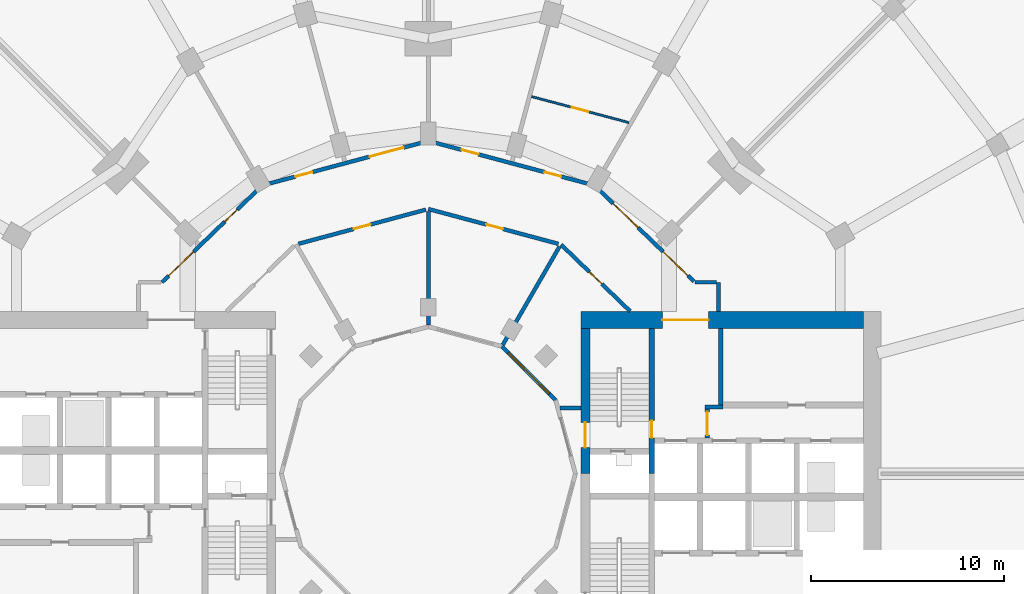
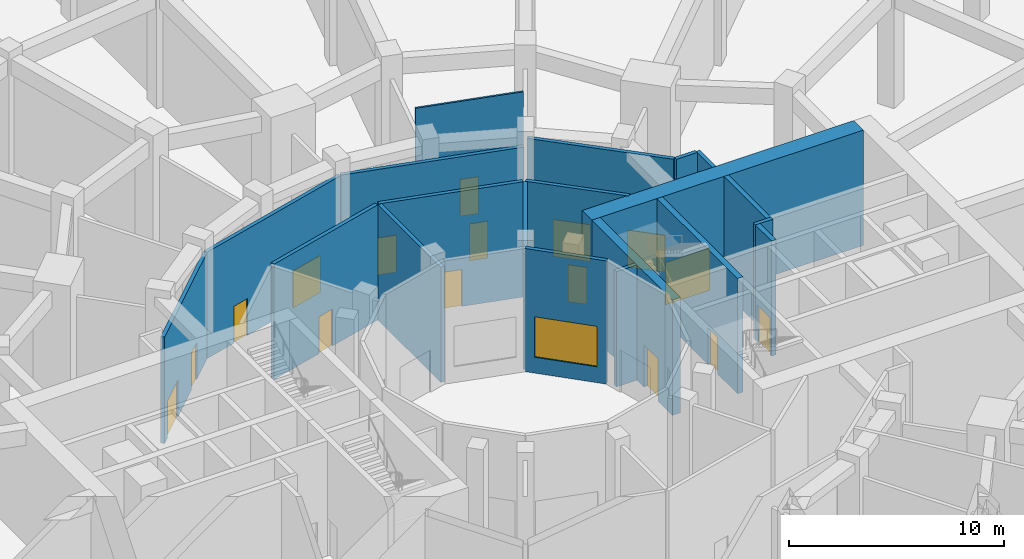
# One storey, part 27 of 31: 20 walls, 16 doors, 1 window, 17 openings.
"""IFC4 building model written with IfcOpenShell, lengths in metres."""

from ifc_helpers import new_model, si_unit, direction, frame, frame_2d, origin, place, context, subcontext, project, spatial, rectangle, extrude, material, layer, layer_set, type_object, element, fill, save


model = new_model("IFC4")

# Units and contexts
model_context = context("Model", 3, precision=1e-05, world=origin(), true_north=direction((0.0, 1.0)))
body_context = subcontext(model_context, "Body", "Model", "MODEL_VIEW")
ifc_project = project(units=[si_unit("LENGTHUNIT", "METRE"), si_unit("AREAUNIT", "SQUARE_METRE"), si_unit("VOLUMEUNIT", "CUBIC_METRE"), si_unit("PLANEANGLEUNIT", "RADIAN"), si_unit("MASSUNIT", "GRAM", prefix="KILO")], contexts=[model_context])

# Site, building, storey
site_placement = place(None, origin())
site = spatial("IfcSite", under=ifc_project, at=site_placement, CompositionType="ELEMENT")
building_placement = place(site_placement, origin())
building = spatial("IfcBuilding", under=site, at=building_placement, Name="Torre Brocal", CompositionType="ELEMENT")
storey_placement = place(building_placement, origin())
storey = spatial("IfcBuildingStorey", under=building, at=storey_placement, Name="L00", CompositionType="ELEMENT", Elevation=0.0)

# Walls
ifc_material_1 = material(Name="Concrete C80", Category="concrete")
ifc_layer_1 = layer(ifc_material_1, 0.199951171875)
ifc_layer_set_1 = layer_set([ifc_layer_1], Name="Concrete C80")
wall_type_1 = type_object("IfcWallType", Name="CORE WALL 200 C80 UNDER 450 SLAB", PredefinedType="SHEAR", material=ifc_layer_set_1)
wall_1_placement = place(storey_placement, frame((94.300048828125, 78.449951171875, 0.0), z_axis=(0.0, 0.0, 1.0), x_axis=(1.0, 0.0, 0.0)))
element("IfcWall", 1, at=wall_1_placement, inside=storey, type_object=wall_type_1, Name="Wall CW200-80-S450", PredefinedType="SHEAR", context=body_context, shape_type="SweptSolid", body=[
    extrude(rectangle(XDim=0.949951171875, YDim=0.199951171875, at=frame_2d((0.47509765625, 0.0))), origin(), (0.0, 0.0, 1.0), 6.550048828125),
])
ifc_material_2 = material(Name="Concrete C80", Category="concrete")
ifc_layer_2 = layer(ifc_material_2, 0.25)
ifc_layer_set_2 = layer_set([ifc_layer_2], Name="Concrete C80")
wall_type_2 = type_object("IfcWallType", Name="CORE WALL 250 C80 UNDER 450 SLAB", PredefinedType="SHEAR", material=ifc_layer_set_2)
wall_2_placement = place(storey_placement, frame((95.125, 78.550048828125, 0.0), z_axis=(0.0, 0.0, 1.0), x_axis=(0.0, 1.0, 0.0)))
element("IfcWall", 2, at=wall_2_placement, inside=storey, type_object=wall_type_2, Name="Wall CW250-80-S450", PredefinedType="SHEAR", context=body_context, shape_type="SweptSolid", body=[
    extrude(rectangle(XDim=3.949951171875, YDim=0.25, at=frame_2d((1.97509765625, 0.0))), origin(), (0.0, 0.0, 1.0), 6.550048828125),
])

# Wall, opening, door
wall_3_placement = place(storey_placement, frame((94.425048828125, 76.85009765625, 0.0), z_axis=(0.0, 0.0, 1.0), x_axis=(0.0, 1.0, 0.0)))
wall_3 = element("IfcWall", 3, at=wall_3_placement, inside=storey, type_object=wall_type_2, Name="Wall CW250-80-S450", PredefinedType="SHEAR", context=body_context, shape_type="SweptSolid", body=[
    extrude(rectangle(XDim=1.5, YDim=0.25, at=frame_2d((0.75, 0.0))), origin(), (0.0, 0.0, 1.0), 6.550048828125),
])
opening_1_placement = place(wall_3_placement, frame((0.14990234375, 0.0, 0.0)))
opening_1 = element("IfcOpeningElement", 4, at=opening_1_placement, cuts=wall_3, Name="Opening E-D21", PredefinedType="OPENING", context=body_context, shape_type="SweptSolid", body=[
    extrude(rectangle(XDim=1.199951171875, YDim=2.10009765625, at=frame_2d((0.60009765625, 1.050048828125))), frame((0.0, 0.135009765625, 0.0), z_axis=(0.0, -1.0, 0.0), x_axis=(1.0, 0.0, 0.0)), (0.0, 0.0, 1.0), 0.27001953125),
])
ifc_material_3 = material(Name="Steel A653", Category="steel")
door_type_1 = type_object("IfcDoorType", Name="LOBBY DOOR FD120 1200X2100", OperationType="SINGLE_SWING_RIGHT", PredefinedType="DOOR", material=ifc_material_3)
door_1_placement = place(opening_1_placement, origin())
door_1 = element("IfcDoor", 5, at=door_1_placement, inside=storey, type_object=door_type_1, Name="Door E-D21", OperationType="SINGLE_SWING_LEFT", OverallHeight=2.10009765625, OverallWidth=1.199951171875, PredefinedType="DOOR", context=body_context, shape_type="SweptSolid", body=[
    extrude(rectangle(XDim=1.199951171875, YDim=2.10009765625, at=frame_2d((0.60009765625, 1.050048828125))), frame((0.0, 0.02490234375, 0.0), z_axis=(0.0, -1.0, 0.0), x_axis=(1.0, 0.0, 0.0)), (0.0, 0.0, 1.0), 0.050048828125),
])
fill(opening_1, door_1)

ifc_material_4 = material(Name="Concrete C80", Category="concrete")
ifc_layer_3 = layer(ifc_material_4, 0.300048828125)
ifc_layer_set_3 = layer_set([ifc_layer_3], Name="Concrete C80")
wall_type_3 = type_object("IfcWallType", Name="CORE WALL 300 C80 UNDER 450 SLAB", PredefinedType="SHEAR", material=ifc_layer_set_3)
wall_4_placement = place(storey_placement, frame((91.550048828125, 75.0, 0.0), z_axis=(0.0, 0.0, 1.0), x_axis=(0.0, 1.0, 0.0)))
wall_4 = element("IfcWall", 6, at=wall_4_placement, inside=storey, type_object=wall_type_3, Name="Wall CW300-80-S450", PredefinedType="SHEAR", context=body_context, shape_type="SweptSolid", body=[
    extrude(rectangle(XDim=7.5, YDim=0.300048828125, at=frame_2d((3.75, 0.0))), origin(), (0.0, 0.0, 1.0), 6.550048828125),
])
opening_2_placement = place(wall_4_placement, frame((1.85009765625, 0.0, 0.0)))
opening_2 = element("IfcOpeningElement", 7, at=opening_2_placement, cuts=wall_4, Name="Opening E-D02", PredefinedType="OPENING", context=body_context, shape_type="SweptSolid", body=[
    extrude(rectangle(XDim=0.89990234375, YDim=2.10009765625, at=frame_2d((0.449951171875, 1.050048828125))), frame((0.0, 0.159912109375, 0.0), z_axis=(0.0, -1.0, 0.0), x_axis=(1.0, 0.0, 0.0)), (0.0, 0.0, 1.0), 0.320068359375),
])
ifc_material_5 = material(Name="Steel A653", Category="steel")
door_type_2 = type_object("IfcDoorType", Name="STAIR DOOR FD120 900X2100", OperationType="SINGLE_SWING_RIGHT", PredefinedType="DOOR", material=ifc_material_5)
door_2_placement = place(opening_2_placement, origin())
door_2 = element("IfcDoor", 8, at=door_2_placement, inside=storey, type_object=door_type_2, Name="Door E-D02", OperationType="SINGLE_SWING_LEFT", OverallHeight=2.10009765625, OverallWidth=0.89990234375, PredefinedType="DOOR", context=body_context, shape_type="SweptSolid", body=[
    extrude(rectangle(XDim=0.89990234375, YDim=2.10009765625, at=frame_2d((0.449951171875, 1.050048828125))), frame((0.0, 0.02490234375, 0.0), z_axis=(0.0, -1.0, 0.0), x_axis=(1.0, 0.0, 0.0)), (0.0, 0.0, 1.0), 0.050048828125),
])
fill(opening_2, door_2)

ifc_material_6 = material(Name="Concrete C80", Category="concrete")
ifc_layer_4 = layer(ifc_material_6, 0.449951171875)
ifc_layer_set_4 = layer_set([ifc_layer_4], Name="Concrete C80")
wall_type_4 = type_object("IfcWallType", Name="CORE WALL 450 C80 UNDER 450 SLAB", PredefinedType="SHEAR", material=ifc_layer_set_4)
wall_5_placement = place(storey_placement, frame((88.125, 75.0, 0.0), z_axis=(0.0, 0.0, 1.0), x_axis=(0.0, 1.0, 0.0)))
wall_5 = element("IfcWall", 9, at=wall_5_placement, inside=storey, type_object=wall_type_4, Name="Wall CW450-80-S450", PredefinedType="SHEAR", context=body_context, shape_type="SweptSolid", body=[
    extrude(rectangle(XDim=7.5, YDim=0.449951171875, at=frame_2d((3.75, 0.0))), origin(), (0.0, 0.0, 1.0), 6.550048828125),
])
opening_3_placement = place(wall_5_placement, frame((1.35009765625, 0.0, 0.0)))
opening_3 = element("IfcOpeningElement", 10, at=opening_3_placement, cuts=wall_5, Name="Opening E-D16", PredefinedType="OPENING", context=body_context, shape_type="SweptSolid", body=[
    extrude(rectangle(XDim=1.300048828125, YDim=2.39990234375, at=frame_2d((0.64990234375, 1.199951171875))), frame((0.0, 0.23486328125, 0.0), z_axis=(0.0, -1.0, 0.0), x_axis=(1.0, 0.0, 0.0)), (0.0, 0.0, 1.0), 0.469970703125),
])
ifc_material_7 = material(Name="Steel A653", Category="steel")
door_type_3 = type_object("IfcDoorType", Name="STAIR EXIT DOOR FD120 1300X2400", OperationType="DOUBLE_DOOR_SINGLE_SWING", PredefinedType="DOOR", material=ifc_material_7)
door_3_placement = place(opening_3_placement, frame((1.300048828125, 0.0, 0.0), z_axis=(0.0, 0.0, 1.0), x_axis=(-1.0, 0.0, 0.0)))
door_3 = element("IfcDoor", 11, at=door_3_placement, inside=storey, type_object=door_type_3, Name="Door E-D16", OperationType="DOUBLE_DOOR_SINGLE_SWING", OverallHeight=2.39990234375, OverallWidth=1.300048828125, PredefinedType="DOOR", context=body_context, shape_type="SweptSolid", body=[
    extrude(rectangle(XDim=1.300048828125, YDim=2.39990234375, at=frame_2d((0.64990234375, 1.199951171875))), frame((0.0, 0.02490234375, 0.0), z_axis=(0.0, -1.0, 0.0), x_axis=(1.0, 0.0, 0.0)), (0.0, 0.0, 1.0), 0.050048828125),
])
fill(opening_3, door_3)

ifc_material_8 = material(Name="Concrete C80", Category="concrete")
ifc_layer_5 = layer(ifc_material_8, 0.89990234375)
ifc_layer_set_5 = layer_set([ifc_layer_5], Name="Concrete C80")
wall_type_5 = type_object("IfcWallType", Name="CORE WALL 900 C80 UNDER 450 SLAB", PredefinedType="SHEAR", material=ifc_layer_set_5)
wall_6_placement = place(storey_placement, frame((87.89990234375, 82.949951171875, 0.0), z_axis=(0.0, 0.0, 1.0), x_axis=(1.0, 0.0, 0.0)))
wall_6 = element("IfcWall", 12, at=wall_6_placement, inside=storey, type_object=wall_type_5, Name="Wall CW900-80-S450", PredefinedType="SHEAR", context=body_context, shape_type="SweptSolid", body=[
    extrude(rectangle(XDim=14.60009765625, YDim=0.89990234375, at=frame_2d((7.300048828125, 0.0))), origin(), (0.0, 0.0, 1.0), 6.550048828125),
])
opening_4_placement = place(wall_6_placement, frame((4.199951171875, 0.0, 0.0)))
opening_4 = element("IfcOpeningElement", 13, at=opening_4_placement, cuts=wall_6, Name="Opening E-D27", PredefinedType="OPENING", context=body_context, shape_type="SweptSolid", body=[
    extrude(rectangle(XDim=2.39990234375, YDim=2.39990234375, at=frame_2d((1.199951171875, 1.199951171875))), frame((0.0, 0.4599609375, 0.0), z_axis=(0.0, -1.0, 0.0), x_axis=(1.0, 0.0, 0.0)), (0.0, 0.0, 1.0), 0.919921875),
])
ifc_material_9 = material(Name="Steel A653", Category="steel")
door_type_4 = type_object("IfcDoorType", Name="DOUBLE FIRE DOOR FD90 2400X2400", OperationType="DOUBLE_DOOR_SINGLE_SWING", PredefinedType="DOOR", material=ifc_material_9)
door_4_placement = place(opening_4_placement, frame((2.39990234375, 0.0, 0.0), z_axis=(0.0, 0.0, 1.0), x_axis=(-1.0, 0.0, 0.0)))
door_4 = element("IfcDoor", 14, at=door_4_placement, inside=storey, type_object=door_type_4, Name="Door E-D27", OperationType="DOUBLE_DOOR_SINGLE_SWING", OverallHeight=2.39990234375, OverallWidth=2.39990234375, PredefinedType="DOOR", context=body_context, shape_type="SweptSolid", body=[
    extrude(rectangle(XDim=2.39990234375, YDim=2.39990234375, at=frame_2d((1.199951171875, 1.199951171875))), frame((0.0, 0.02490234375, 0.0), z_axis=(0.0, -1.0, 0.0), x_axis=(1.0, 0.0, 0.0)), (0.0, 0.0, 1.0), 0.050048828125),
])
fill(opening_4, door_4)

ifc_material_10 = material(Name="Gypsum board", Category="Gypsum")
ifc_layer_6 = layer(ifc_material_10, 0.10009765625)
ifc_layer_set_6 = layer_set([ifc_layer_6], Name="Gypsum board")
wall_type_6 = type_object("IfcWallType", Name="PARTITION 100", PredefinedType="PARTITIONING", material=ifc_layer_set_6)
wall_7_placement = place(storey_placement, frame((85.340087890625, 94.505615234375, 0.0), z_axis=(0.0, 0.0, 1.0), x_axis=(0.965895847634, -0.258930901058, 0.0)))
wall_7 = element("IfcWall", 15, at=wall_7_placement, inside=storey, type_object=wall_type_6, Name="ROOM PARTITION", PredefinedType="PARTITIONING", context=body_context, shape_type="SweptSolid", body=[
    extrude(rectangle(XDim=5.198974609375, YDim=0.10009765625, at=frame_2d((2.599609375, 0.0))), origin(), (0.0, 0.0, 1.0), 6.550048828125),
])
opening_5_placement = place(wall_7_placement, frame((2.1494140625, 0.0, 0.0)))
opening_5 = element("IfcOpeningElement", 16, at=opening_5_placement, cuts=wall_7, Name="Opening PD0-D04", PredefinedType="OPENING", context=body_context, shape_type="SweptSolid", body=[
    extrude(rectangle(XDim=0.89990234375, YDim=2.10009765625, at=frame_2d((0.449951171875, 1.050048828125))), frame((0.0, 0.06005859375, 0.0), z_axis=(0.0, -1.0, 0.0), x_axis=(1.0, 0.0, 0.0)), (0.0, 0.0, 1.0), 0.1201171875),
])
ifc_material_11 = material(Name="Timber", Category="wood")
door_type_5 = type_object("IfcDoorType", Name="ROOM DOOR 900X2100", OperationType="SINGLE_SWING_LEFT", PredefinedType="DOOR", material=ifc_material_11)
door_5_placement = place(opening_5_placement, origin())
door_5 = element("IfcDoor", 17, at=door_5_placement, inside=storey, type_object=door_type_5, Name="PD0-D04", OperationType="SINGLE_SWING_LEFT", OverallHeight=2.10009765625, OverallWidth=0.89990234375, PredefinedType="DOOR", context=body_context, shape_type="SweptSolid", body=[
    extrude(rectangle(XDim=0.89990234375, YDim=2.10009765625, at=frame_2d((0.449951171875, 1.050048828125))), frame((0.0, 0.02490234375, 0.0), z_axis=(0.0, -1.0, 0.0), x_axis=(1.0, 0.0, 0.0)), (0.0, 0.0, 1.0), 0.050048828125),
])
fill(opening_5, door_5)

ifc_material_12 = material(Name="Gypsum board", Category="Gypsum")
ifc_layer_7 = layer(ifc_material_12, 0.199951171875)
ifc_layer_set_7 = layer_set([ifc_layer_7], Name="Gypsum board")
wall_type_7 = type_object("IfcWallType", Name="PARTITION 200 EI60", PredefinedType="PARTITIONING", material=ifc_layer_set_7)
wall_8_placement = place(storey_placement, frame((73.283935546875, 86.890625, 0.0), z_axis=(0.0, 0.0, 1.0), x_axis=(0.965937351185, 0.258776029775, 0.0)))
wall_8 = element("IfcWall", 18, at=wall_8_placement, inside=storey, type_object=wall_type_7, Name="CORRIDOR WALL", PredefinedType="PARTITIONING", context=body_context, shape_type="SweptSolid", body=[
    extrude(rectangle(XDim=6.822998046875, YDim=0.199951171875, at=frame_2d((3.41162109375, 0.0))), origin(), (0.0, 0.0, 1.0), 6.550048828125),
])
opening_6_placement = place(wall_8_placement, frame((2.951416015625, 0.0, 0.0)))
opening_6 = element("IfcOpeningElement", 19, at=opening_6_placement, cuts=wall_8, Name="Opening PD0-D12", PredefinedType="OPENING", context=body_context, shape_type="SweptSolid", body=[
    extrude(rectangle(XDim=0.89990234375, YDim=2.10009765625, at=frame_2d((0.449951171875, 1.050048828125))), frame((0.0, 0.10986328125, 0.0), z_axis=(0.0, -1.0, 0.0), x_axis=(1.0, 0.0, 0.0)), (0.0, 0.0, 1.0), 0.219970703125),
])
door_6_placement = place(opening_6_placement, frame((0.89990234375, 0.0, 0.0), z_axis=(0.0, 0.0, 1.0), x_axis=(-1.0, 0.0, 0.0)))
door_6 = element("IfcDoor", 20, at=door_6_placement, inside=storey, type_object=door_type_5, Name="PD0-D12", OperationType="SINGLE_SWING_RIGHT", OverallHeight=2.10009765625, OverallWidth=0.89990234375, PredefinedType="DOOR", context=body_context, shape_type="SweptSolid", body=[
    extrude(rectangle(XDim=0.89990234375, YDim=2.10009765625, at=frame_2d((0.449951171875, 1.050048828125))), frame((0.0, 0.02490234375, 0.0), z_axis=(0.0, -1.0, 0.0), x_axis=(1.0, 0.0, 0.0)), (0.0, 0.0, 1.0), 0.050048828125),
])
fill(opening_6, door_6)

# Wall
wall_9_placement = place(storey_placement, frame((80.0, 82.698974609375, 0.0), z_axis=(0.0, 0.0, 1.0), x_axis=(0.0, 1.0, 0.0)))
element("IfcWall", 21, at=wall_9_placement, inside=storey, type_object=wall_type_7, Name="PARTY PARTITION", PredefinedType="PARTITIONING", context=body_context, shape_type="SweptSolid", body=[
    extrude(rectangle(XDim=5.861083984375, YDim=0.199951171875, at=frame_2d((2.9306640625, 0.0))), origin(), (0.0, 0.0, 1.0), 6.550048828125),
])

# Wall, opening, door
wall_10_placement = place(storey_placement, frame((80.0, 88.68994140625, 0.0), z_axis=(0.0, 0.0, 1.0), x_axis=(0.965929896633, -0.258803853893, 0.0)))
wall_10 = element("IfcWall", 22, at=wall_10_placement, inside=storey, type_object=wall_type_7, Name="CORRIDOR WALL", PredefinedType="PARTITIONING", context=body_context, shape_type="SweptSolid", body=[
    extrude(rectangle(XDim=6.962890625, YDim=0.199951171875, at=frame_2d((3.4814453125, 0.0))), origin(), (0.0, 0.0, 1.0), 6.550048828125),
])
opening_7_placement = place(wall_10_placement, frame((3.1015625, 0.0, 0.0)))
opening_7 = element("IfcOpeningElement", 23, at=opening_7_placement, cuts=wall_10, Name="Opening PD0-D11", PredefinedType="OPENING", context=body_context, shape_type="SweptSolid", body=[
    extrude(rectangle(XDim=0.89990234375, YDim=2.10009765625, at=frame_2d((0.449951171875, 1.050048828125))), frame((0.0, 0.10986328125, 0.0), z_axis=(0.0, -1.0, 0.0), x_axis=(1.0, 0.0, 0.0)), (0.0, 0.0, 1.0), 0.219970703125),
])
door_7_placement = place(opening_7_placement, frame((0.89990234375, 0.0, 0.0), z_axis=(0.0, 0.0, 1.0), x_axis=(-1.0, 0.0, 0.0)))
door_7 = element("IfcDoor", 24, at=door_7_placement, inside=storey, type_object=door_type_5, Name="PD0-D11", OperationType="SINGLE_SWING_LEFT", OverallHeight=2.10009765625, OverallWidth=0.89990234375, PredefinedType="DOOR", context=body_context, shape_type="SweptSolid", body=[
    extrude(rectangle(XDim=0.89990234375, YDim=2.10009765625, at=frame_2d((0.449951171875, 1.050048828125))), frame((0.0, 0.02490234375, 0.0), z_axis=(0.0, -1.0, 0.0), x_axis=(1.0, 0.0, 0.0)), (0.0, 0.0, 1.0), 0.050048828125),
])
fill(opening_7, door_7)

# Wall
wall_11_placement = place(storey_placement, frame((83.849609375, 81.666748046875, 0.0), z_axis=(0.0, 0.0, 1.0), x_axis=(0.500029580911, 0.866008324564, 0.0)))
element("IfcWall", 25, at=wall_11_placement, inside=storey, type_object=wall_type_7, Name="SERVICE ROOM WALL", PredefinedType="PARTITIONING", context=body_context, shape_type="SweptSolid", body=[
    extrude(rectangle(XDim=5.871826171875, YDim=0.199951171875, at=frame_2d((2.93603515625, 0.0))), origin(), (0.0, 0.0, 1.0), 6.550048828125),
])

# Wall, opening, door
wall_12_placement = place(storey_placement, frame((86.861083984375, 86.85205078125, 0.0), z_axis=(0.0, 0.0, 1.0), x_axis=(0.719448855188, -0.694545423114, 0.0)))
wall_12 = element("IfcWall", 26, at=wall_12_placement, inside=storey, type_object=wall_type_7, Name="CORRIDOR WALL", PredefinedType="PARTITIONING", context=body_context, shape_type="SweptSolid", body=[
    extrude(rectangle(XDim=4.970458984375, YDim=0.199951171875, at=frame_2d((2.4853515625, 0.0))), origin(), (0.0, 0.0, 1.0), 6.550048828125),
])
opening_8_placement = place(wall_12_placement, frame((2.03515625, 0.0, 0.0)))
opening_8 = element("IfcOpeningElement", 27, at=opening_8_placement, cuts=wall_12, Name="Opening PD0-D10", PredefinedType="OPENING", context=body_context, shape_type="SweptSolid", body=[
    extrude(rectangle(XDim=0.89990234375, YDim=2.10009765625, at=frame_2d((0.449951171875, 1.050048828125))), frame((0.0, 0.10986328125, 0.0), z_axis=(0.0, -1.0, 0.0), x_axis=(1.0, 0.0, 0.0)), (0.0, 0.0, 1.0), 0.219970703125),
])
door_8_placement = place(opening_8_placement, frame((0.89990234375, 0.0, 0.0), z_axis=(0.0, 0.0, 1.0), x_axis=(-1.0, 0.0, 0.0)))
door_8 = element("IfcDoor", 28, at=door_8_placement, inside=storey, type_object=door_type_5, Name="PD0-D10", OperationType="SINGLE_SWING_LEFT", OverallHeight=2.10009765625, OverallWidth=0.89990234375, PredefinedType="DOOR", context=body_context, shape_type="SweptSolid", body=[
    extrude(rectangle(XDim=0.89990234375, YDim=2.10009765625, at=frame_2d((0.449951171875, 1.050048828125))), frame((0.0, 0.02490234375, 0.0), z_axis=(0.0, -1.0, 0.0), x_axis=(1.0, 0.0, 0.0)), (0.0, 0.0, 1.0), 0.050048828125),
])
fill(opening_8, door_8)

# Wall, openings, doors
wall_13_placement = place(storey_placement, frame((88.66845703125, 89.83203125, 0.0), z_axis=(0.0, 0.0, 1.0), x_axis=(0.71956091863, -0.694429322811, 0.0)))
wall_13 = element("IfcWall", 29, at=wall_13_placement, inside=storey, type_object=wall_type_7, Name="CORRIDOR WALL", PredefinedType="PARTITIONING", context=body_context, shape_type="SweptSolid", body=[
    extrude(rectangle(XDim=7.04296875, YDim=0.199951171875, at=frame_2d((3.521484375, 0.0))), origin(), (0.0, 0.0, 1.0), 6.550048828125),
])
opening_9_placement = place(wall_13_placement, frame((4.821044921875, 0.0, 0.0)))
opening_9 = element("IfcOpeningElement", 30, at=opening_9_placement, cuts=wall_13, Name="Opening PD0-D01", PredefinedType="OPENING", context=body_context, shape_type="SweptSolid", body=[
    extrude(rectangle(XDim=1.800048828125, YDim=2.10009765625, at=frame_2d((0.89990234375, 1.050048828125))), frame((0.0, 0.10986328125, 0.0), z_axis=(0.0, -1.0, 0.0), x_axis=(1.0, 0.0, 0.0)), (0.0, 0.0, 1.0), 0.219970703125),
])
opening_10_placement = place(wall_13_placement, frame((1.234375, 0.0, 0.0)))
opening_10 = element("IfcOpeningElement", 31, at=opening_10_placement, cuts=wall_13, Name="Opening PD0-D02", PredefinedType="OPENING", context=body_context, shape_type="SweptSolid", body=[
    extrude(rectangle(XDim=1.800048828125, YDim=2.10009765625, at=frame_2d((0.89990234375, 1.050048828125))), frame((0.0, 0.10986328125, 0.0), z_axis=(0.0, -1.0, 0.0), x_axis=(1.0, 0.0, 0.0)), (0.0, 0.0, 1.0), 0.219970703125),
])
ifc_material_13 = material(Name="Timber", Category="wood")
door_type_6 = type_object("IfcDoorType", Name="DOUBLE DOOR 1800X2100", OperationType="DOUBLE_DOOR_SINGLE_SWING", PredefinedType="DOOR", material=ifc_material_13)
door_9_placement = place(opening_9_placement, origin())
door_9 = element("IfcDoor", 32, at=door_9_placement, inside=storey, type_object=door_type_6, Name="PD0-D01", OperationType="DOUBLE_DOOR_SINGLE_SWING", OverallHeight=2.10009765625, OverallWidth=1.800048828125, PredefinedType="DOOR", context=body_context, shape_type="SweptSolid", body=[
    extrude(rectangle(XDim=1.800048828125, YDim=2.10009765625, at=frame_2d((0.89990234375, 1.050048828125))), frame((0.0, 0.02490234375, 0.0), z_axis=(0.0, -1.0, 0.0), x_axis=(1.0, 0.0, 0.0)), (0.0, 0.0, 1.0), 0.050048828125),
])
fill(opening_9, door_9)
door_10_placement = place(opening_10_placement, origin())
door_10 = element("IfcDoor", 33, at=door_10_placement, inside=storey, type_object=door_type_6, Name="PD0-D02", OperationType="DOUBLE_DOOR_SINGLE_SWING", OverallHeight=2.10009765625, OverallWidth=1.800048828125, PredefinedType="DOOR", context=body_context, shape_type="SweptSolid", body=[
    extrude(rectangle(XDim=1.800048828125, YDim=2.10009765625, at=frame_2d((0.89990234375, 1.050048828125))), frame((0.0, 0.02490234375, 0.0), z_axis=(0.0, -1.0, 0.0), x_axis=(1.0, 0.0, 0.0)), (0.0, 0.0, 1.0), 0.050048828125),
])
fill(opening_10, door_10)

# Walls
wall_14_placement = place(storey_placement, frame((93.780029296875, 84.89990234375, 0.0), z_axis=(0.0, 0.0, 1.0), x_axis=(1.0, 0.0, 0.0)))
element("IfcWall", 34, at=wall_14_placement, inside=storey, type_object=wall_type_7, Name="CORRIDOR WALL", PredefinedType="PARTITIONING", context=body_context, shape_type="SweptSolid", body=[
    extrude(rectangle(XDim=1.119873046875, YDim=0.199951171875, at=frame_2d((0.56005859375, 0.0))), origin(), (0.0, 0.0, 1.0), 6.550048828125),
])
wall_15_placement = place(storey_placement, frame((95.0, 83.40087890625, 0.0), z_axis=(0.0, 0.0, 1.0), x_axis=(0.0, 1.0, 0.0)))
element("IfcWall", 35, at=wall_15_placement, inside=storey, type_object=wall_type_7, Name="CORRIDOR WALL", PredefinedType="PARTITIONING", context=body_context, shape_type="SweptSolid", body=[
    extrude(rectangle(XDim=1.4990234375, YDim=0.199951171875, at=frame_2d((0.74951171875, 0.0))), origin(), (0.0, 0.0, 1.0), 6.550048828125),
])
wall_16_placement = place(storey_placement, frame((86.7958984375, 78.39990234375, 0.0), z_axis=(0.0, 0.0, 1.0), x_axis=(1.0, 0.0, 0.0)))
element("IfcWall", 36, at=wall_16_placement, inside=storey, type_object=wall_type_7, Name="SERVICE ROOM WALL", PredefinedType="PARTITIONING", context=body_context, shape_type="SweptSolid", body=[
    extrude(rectangle(XDim=1.10400390625, YDim=0.199951171875, at=frame_2d((0.552001953125, 0.0))), origin(), (0.0, 0.0, 1.0), 6.550048828125),
])

# Wall, openings, doors
ifc_material_14 = material(Name="Gypsum board", Category="Gypsum")
ifc_layer_8 = layer(ifc_material_14, 0.199951171875)
ifc_layer_set_8 = layer_set([ifc_layer_8], Name="Gypsum board")
wall_type_8 = type_object("IfcWallType", Name="PARTITION 200 EI60 UNDER BEAM 950", PredefinedType="PARTITIONING", material=ifc_layer_set_8)
wall_17_placement = place(storey_placement, frame((66.22021484375, 84.899658203125, 0.0), z_axis=(0.0, 0.0, 1.0), x_axis=(0.719621348931, 0.694366700068, 0.0)))
wall_17 = element("IfcWall", 37, at=wall_17_placement, inside=storey, type_object=wall_type_8, Name="CORRIDOR WALL", PredefinedType="PARTITIONING", context=body_context, shape_type="SweptSolid", body=[
    extrude(rectangle(XDim=7.173095703125, YDim=0.199951171875, at=frame_2d((3.58642578125, 0.0))), origin(), (0.0, 0.0, 1.0), 6.050048828125),
])
opening_11_placement = place(wall_17_placement, frame((4.5185546875, 0.0, 0.0)))
opening_11 = element("IfcOpeningElement", 38, at=opening_11_placement, cuts=wall_17, Name="Opening PD0-D08", PredefinedType="OPENING", context=body_context, shape_type="SweptSolid", body=[
    extrude(rectangle(XDim=0.89990234375, YDim=2.10009765625, at=frame_2d((0.449951171875, 1.050048828125))), frame((0.0, 0.10986328125, 0.0), z_axis=(0.0, -1.0, 0.0), x_axis=(1.0, 0.0, 0.0)), (0.0, 0.0, 1.0), 0.219970703125),
])
opening_12_placement = place(wall_17_placement, frame((0.48193359375, 0.0, 0.0)))
opening_12 = element("IfcOpeningElement", 39, at=opening_12_placement, cuts=wall_17, Name="Opening PD0-D09", PredefinedType="OPENING", context=body_context, shape_type="SweptSolid", body=[
    extrude(rectangle(XDim=1.800048828125, YDim=2.10009765625, at=frame_2d((0.89990234375, 1.050048828125))), frame((0.0, 0.10986328125, 0.0), z_axis=(0.0, -1.0, 0.0), x_axis=(1.0, 0.0, 0.0)), (0.0, 0.0, 1.0), 0.219970703125),
])
door_11_placement = place(opening_12_placement, origin())
door_11 = element("IfcDoor", 40, at=door_11_placement, inside=storey, type_object=door_type_6, Name="PD0-D09", OperationType="DOUBLE_DOOR_SINGLE_SWING", OverallHeight=2.10009765625, OverallWidth=1.800048828125, PredefinedType="DOOR", context=body_context, shape_type="SweptSolid", body=[
    extrude(rectangle(XDim=1.800048828125, YDim=2.10009765625, at=frame_2d((0.89990234375, 1.050048828125))), frame((0.0, 0.02490234375, 0.0), z_axis=(0.0, -1.0, 0.0), x_axis=(1.0, 0.0, 0.0)), (0.0, 0.0, 1.0), 0.050048828125),
])
fill(opening_12, door_11)
door_12_placement = place(opening_11_placement, origin())
door_12 = element("IfcDoor", 41, at=door_12_placement, inside=storey, type_object=door_type_5, Name="PD0-D08", OperationType="SINGLE_SWING_LEFT", OverallHeight=2.10009765625, OverallWidth=0.89990234375, PredefinedType="DOOR", context=body_context, shape_type="SweptSolid", body=[
    extrude(rectangle(XDim=0.89990234375, YDim=2.10009765625, at=frame_2d((0.449951171875, 1.050048828125))), frame((0.0, 0.02490234375, 0.0), z_axis=(0.0, -1.0, 0.0), x_axis=(1.0, 0.0, 0.0)), (0.0, 0.0, 1.0), 0.050048828125),
])
fill(opening_11, door_12)

wall_18_placement = place(storey_placement, frame((71.410888671875, 89.907958984375, 0.0), z_axis=(0.0, 0.0, 1.0), x_axis=(0.965907314361, 0.258888122678, 0.0)))
wall_18 = element("IfcWall", 42, at=wall_18_placement, inside=storey, type_object=wall_type_8, Name="CORRIDOR WALL", PredefinedType="PARTITIONING", context=body_context, shape_type="SweptSolid", body=[
    extrude(rectangle(XDim=8.80224609375, YDim=0.199951171875, at=frame_2d((4.401123046875, 0.0))), origin(), (0.0, 0.0, 1.0), 6.050048828125),
])
opening_13_placement = place(wall_18_placement, frame((5.75537109375, 0.0, 0.0)))
opening_13 = element("IfcOpeningElement", 43, at=opening_13_placement, cuts=wall_18, Name="Opening PD0-D06", PredefinedType="OPENING", context=body_context, shape_type="SweptSolid", body=[
    extrude(rectangle(XDim=1.800048828125, YDim=2.10009765625, at=frame_2d((0.89990234375, 1.050048828125))), frame((0.0, 0.10986328125, 0.0), z_axis=(0.0, -1.0, 0.0), x_axis=(1.0, 0.0, 0.0)), (0.0, 0.0, 1.0), 0.219970703125),
])
opening_14_placement = place(wall_18_placement, frame((1.779052734375, 0.0, 0.0)))
opening_14 = element("IfcOpeningElement", 44, at=opening_14_placement, cuts=wall_18, Name="Opening PD0-D07", PredefinedType="OPENING", context=body_context, shape_type="SweptSolid", body=[
    extrude(rectangle(XDim=0.89990234375, YDim=2.10009765625, at=frame_2d((0.449951171875, 1.050048828125))), frame((0.0, 0.10986328125, 0.0), z_axis=(0.0, -1.0, 0.0), x_axis=(1.0, 0.0, 0.0)), (0.0, 0.0, 1.0), 0.219970703125),
])
door_13_placement = place(opening_13_placement, origin())
door_13 = element("IfcDoor", 45, at=door_13_placement, inside=storey, type_object=door_type_6, Name="PD0-D06", OperationType="DOUBLE_DOOR_SINGLE_SWING", OverallHeight=2.10009765625, OverallWidth=1.800048828125, PredefinedType="DOOR", context=body_context, shape_type="SweptSolid", body=[
    extrude(rectangle(XDim=1.800048828125, YDim=2.10009765625, at=frame_2d((0.89990234375, 1.050048828125))), frame((0.0, 0.02490234375, 0.0), z_axis=(0.0, -1.0, 0.0), x_axis=(1.0, 0.0, 0.0)), (0.0, 0.0, 1.0), 0.050048828125),
])
fill(opening_13, door_13)
door_14_placement = place(opening_14_placement, origin())
door_14 = element("IfcDoor", 46, at=door_14_placement, inside=storey, type_object=door_type_5, Name="PD0-D07", OperationType="SINGLE_SWING_RIGHT", OverallHeight=2.10009765625, OverallWidth=0.89990234375, PredefinedType="DOOR", context=body_context, shape_type="SweptSolid", body=[
    extrude(rectangle(XDim=0.89990234375, YDim=2.10009765625, at=frame_2d((0.449951171875, 1.050048828125))), frame((0.0, 0.02490234375, 0.0), z_axis=(0.0, -1.0, 0.0), x_axis=(1.0, 0.0, 0.0)), (0.0, 0.0, 1.0), 0.050048828125),
])
fill(opening_14, door_14)

wall_19_placement = place(storey_placement, frame((80.0, 92.2099609375, 0.0), z_axis=(0.0, 0.0, 1.0), x_axis=(0.965910452724, -0.258876413213, 0.0)))
wall_19 = element("IfcWall", 47, at=wall_19_placement, inside=storey, type_object=wall_type_8, Name="CORRIDOR WALL", PredefinedType="PARTITIONING", context=body_context, shape_type="SweptSolid", body=[
    extrude(rectangle(XDim=8.81201171875, YDim=0.199951171875, at=frame_2d((4.406005859375, 0.0))), origin(), (0.0, 0.0, 1.0), 6.050048828125),
])
opening_15_placement = place(wall_19_placement, frame((6.213134765625, 0.0, 0.0)))
opening_15 = element("IfcOpeningElement", 48, at=opening_15_placement, cuts=wall_19, Name="Opening PD0-D03", PredefinedType="OPENING", context=body_context, shape_type="SweptSolid", body=[
    extrude(rectangle(XDim=0.89990234375, YDim=2.10009765625, at=frame_2d((0.449951171875, 1.050048828125))), frame((0.0, 0.10986328125, 0.0), z_axis=(0.0, -1.0, 0.0), x_axis=(1.0, 0.0, 0.0)), (0.0, 0.0, 1.0), 0.219970703125),
])
opening_16_placement = place(wall_19_placement, frame((1.78662109375, 0.0, 0.0)))
opening_16 = element("IfcOpeningElement", 49, at=opening_16_placement, cuts=wall_19, Name="Opening PD0-D05", PredefinedType="OPENING", context=body_context, shape_type="SweptSolid", body=[
    extrude(rectangle(XDim=0.89990234375, YDim=2.10009765625, at=frame_2d((0.449951171875, 1.050048828125))), frame((0.0, 0.10986328125, 0.0), z_axis=(0.0, -1.0, 0.0), x_axis=(1.0, 0.0, 0.0)), (0.0, 0.0, 1.0), 0.219970703125),
])
door_15_placement = place(opening_15_placement, origin())
door_15 = element("IfcDoor", 50, at=door_15_placement, inside=storey, type_object=door_type_5, Name="PD0-D03", OperationType="SINGLE_SWING_LEFT", OverallHeight=2.10009765625, OverallWidth=0.89990234375, PredefinedType="DOOR", context=body_context, shape_type="SweptSolid", body=[
    extrude(rectangle(XDim=0.89990234375, YDim=2.10009765625, at=frame_2d((0.449951171875, 1.050048828125))), frame((0.0, 0.02490234375, 0.0), z_axis=(0.0, -1.0, 0.0), x_axis=(1.0, 0.0, 0.0)), (0.0, 0.0, 1.0), 0.050048828125),
])
fill(opening_15, door_15)
door_16_placement = place(opening_16_placement, origin())
door_16 = element("IfcDoor", 51, at=door_16_placement, inside=storey, type_object=door_type_5, Name="PD0-D05", OperationType="SINGLE_SWING_RIGHT", OverallHeight=2.10009765625, OverallWidth=0.89990234375, PredefinedType="DOOR", context=body_context, shape_type="SweptSolid", body=[
    extrude(rectangle(XDim=0.89990234375, YDim=2.10009765625, at=frame_2d((0.449951171875, 1.050048828125))), frame((0.0, 0.02490234375, 0.0), z_axis=(0.0, -1.0, 0.0), x_axis=(1.0, 0.0, 0.0)), (0.0, 0.0, 1.0), 0.050048828125),
])
fill(opening_16, door_16)

# Wall, opening, window
ifc_material_15 = material(Name="Concrete C40", Category="concrete")
ifc_layer_9 = layer(ifc_material_15, 0.199951171875)
ifc_layer_set_9 = layer_set([ifc_layer_9], Name="Concrete C40")
wall_type_9 = type_object("IfcWallType", Name="WELL FACADE WALL 200", PredefinedType="NOTDEFINED", material=ifc_layer_set_9)
wall_20_placement = place(storey_placement, frame((86.5849609375, 78.8017578125, 0.0), z_axis=(0.0, 0.0, 1.0), x_axis=(-0.707106781187, 0.707106781187, 0.0)))
wall_20 = element("IfcWall", 52, at=wall_20_placement, inside=storey, type_object=wall_type_9, Name="WELL FACADE WALL", PredefinedType="NOTDEFINED", context=body_context, shape_type="SweptSolid", body=[
    extrude(rectangle(XDim=3.93603515625, YDim=0.199951171875, at=frame_2d((1.968017578125, 0.0))), origin(), (0.0, 0.0, 1.0), 7.0),
])
opening_17_placement = place(wall_20_placement, frame((0.468017578125, 0.0, 0.89990234375)))
opening_17 = element("IfcOpeningElement", 53, at=opening_17_placement, cuts=wall_20, Name="Opening W1", PredefinedType="OPENING", context=body_context, shape_type="SweptSolid", body=[
    extrude(rectangle(XDim=3.0, YDim=2.300048828125, at=frame_2d((1.5, 1.14990234375))), frame((0.0, 0.10986328125, 0.0), z_axis=(0.0, -1.0, 0.0), x_axis=(1.0, 0.0, 0.0)), (0.0, 0.0, 1.0), 0.219970703125),
])
ifc_material_16 = material(Name="Aluminium and glass", Category="aluminium")
window_type = type_object("IfcWindowType", Name="WELL WINDOW 3000X2300", PartitioningType="SINGLE_PANEL", PredefinedType="WINDOW", material=ifc_material_16)
window_placement = place(opening_17_placement, origin())
window = element("IfcWindow", 54, at=window_placement, inside=storey, type_object=window_type, Name="WELL WINDOW 3000X2300", OverallHeight=2.300048828125, OverallWidth=3.0, PartitioningType="SINGLE_PANEL", PredefinedType="WINDOW", context=body_context, shape_type="SweptSolid", body=[
    extrude(rectangle(XDim=3.0, YDim=2.300048828125, at=frame_2d((1.5, 1.14990234375))), frame((0.0, 0.030029296875, 0.0), z_axis=(0.0, -1.0, 0.0), x_axis=(1.0, 0.0, 0.0)), (0.0, 0.0, 1.0), 0.06005859375),
])
fill(opening_17, window)

save(model, "model.ifc")
